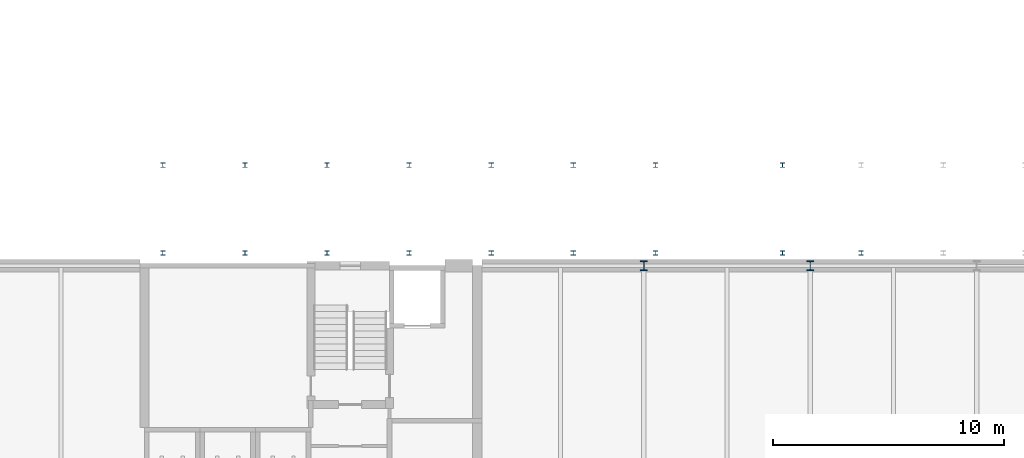
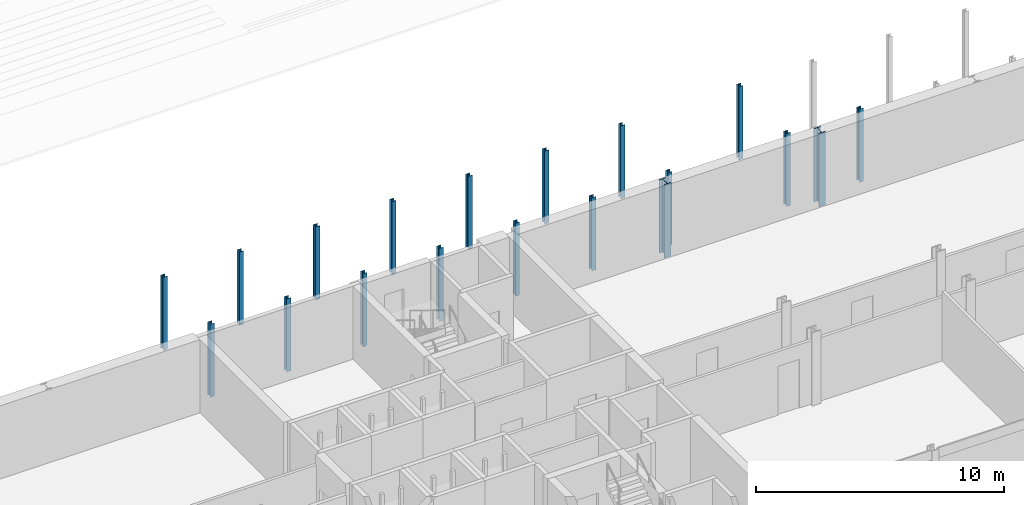
# One storey, part 23 of 90: 19 columns.
"""IFC4 building model written with IfcOpenShell, lengths in metres."""

from ifc_helpers import new_model, si_unit, direction, frame, origin, origin_2d, place, context, subcontext, project, spatial, i_section, extrude, material, material_profile, profile_set, type_object, element, save


model = new_model("IFC4")

# Units and contexts
model_context = context("Model", 3, precision=1e-05, world=origin(), true_north=direction((0.0, 1.0)))
body_context = subcontext(model_context, "Body", "Model", "MODEL_VIEW")
ifc_project = project(units=[si_unit("LENGTHUNIT", "METRE"), si_unit("AREAUNIT", "SQUARE_METRE"), si_unit("VOLUMEUNIT", "CUBIC_METRE"), si_unit("PLANEANGLEUNIT", "RADIAN"), si_unit("MASSUNIT", "GRAM", prefix="KILO")], contexts=[model_context])

# Site, building, storey
site_placement = place(None, origin())
site = spatial("IfcSite", under=ifc_project, at=site_placement, CompositionType="ELEMENT")
building_placement = place(site_placement, origin())
building = spatial("IfcBuilding", under=site, at=building_placement, Name="Kupolbacken Congress Centre", CompositionType="ELEMENT")
storey_placement = place(building_placement, frame((0.0, 0.0, 3.60009765625)))
storey = spatial("IfcBuildingStorey", under=building, at=storey_placement, Name="L01", CompositionType="ELEMENT", Elevation=3.60009765625)

# Columns
ifc_material_1 = material(Name="Steel S355", Category="steel")
ifc_material_profile_1 = material_profile(ifc_material_1, i_section(OverallWidth=0.306884765625, OverallDepth=0.431884765625, WebThickness=0.02099609375, FlangeThickness=0.0400390625, FilletRadius=0.027099609375, at=origin_2d()), Name="HEM 400")
ifc_profile_set_1 = profile_set([ifc_material_profile_1], Name="Steel S355")
column_type_1 = type_object("IfcColumnType", Name="C02 column HEM 400", PredefinedType="COLUMN", material=ifc_profile_set_1)
for number, where, z_axis, x_axis, name in (
    (1, (115.199951171875, 144.0, 0.0), (0.0, 0.0, 1.0), (1.0, 0.0, 0.0), "S/col/C-T-17W/L01"),
    (2, (122.39990234375, 144.0, 0.0), (0.0, 0.0, 1.0), (1.0, 0.0, 0.0), "S/col/C-T-18W/L01"),
):
    element("IfcColumn", number, at=place(storey_placement, frame(where, z_axis=z_axis, x_axis=x_axis)), inside=storey, type_object=column_type_1, Name=name, PredefinedType="COLUMN", context=body_context, shape_type="SweptSolid", body=[
        extrude(i_section(OverallWidth=0.306884765625, OverallDepth=0.431884765625, WebThickness=0.02099609375, FlangeThickness=0.0400390625, FilletRadius=0.027099609375, at=origin_2d()), origin(), (0.0, 0.0, 1.0), 3.599853515625),
    ])
ifc_material_2 = material(Name="Steel S355", Category="steel")
ifc_material_profile_2 = material_profile(ifc_material_2, i_section(OverallWidth=0.199951171875, OverallDepth=0.199951171875, WebThickness=0.009033203125, FlangeThickness=0.014892578125, FilletRadius=0.01806640625, at=origin_2d()), Name="HEB 200")
ifc_profile_set_2 = profile_set([ifc_material_profile_2], Name="Steel S355")
column_type_2 = type_object("IfcColumnType", Name="C11 column HEB 200", PredefinedType="COLUMN", material=ifc_profile_set_2)
for number, where, z_axis, x_axis, name in (
    (3, (94.39990234375, 144.550048828125, 0.0), (0.0, 0.0, 1.0), (1.0, 0.0, 0.0), "Covered passage column"),
    (4, (94.39990234375, 148.35009765625, 0.0), (0.0, 0.0, 1.0), (1.0, 0.0, 0.0), "Covered passage column"),
    (5, (97.949951171875, 144.550048828125, 0.0), (0.0, 0.0, 1.0), (1.0, 0.0, 0.0), "Covered passage column"),
    (6, (97.949951171875, 148.35009765625, 0.0), (0.0, 0.0, 1.0), (1.0, 0.0, 0.0), "Covered passage column"),
    (7, (101.5, 144.550048828125, 0.0), (0.0, 0.0, 1.0), (1.0, 0.0, 0.0), "Covered passage column"),
    (8, (101.5, 148.35009765625, 0.0), (0.0, 0.0, 1.0), (1.0, 0.0, 0.0), "Covered passage column"),
    (9, (105.050048828125, 144.550048828125, 0.0), (0.0, 0.0, 1.0), (1.0, 0.0, 0.0), "Covered passage column"),
    (10, (105.050048828125, 148.35009765625, 0.0), (0.0, 0.0, 1.0), (1.0, 0.0, 0.0), "Covered passage column"),
    (11, (108.60009765625, 144.550048828125, 0.0), (0.0, 0.0, 1.0), (1.0, 0.0, 0.0), "Covered passage column"),
    (12, (108.60009765625, 148.35009765625, 0.0), (0.0, 0.0, 1.0), (1.0, 0.0, 0.0), "Covered passage column"),
    (13, (112.14990234375, 144.550048828125, 0.0), (0.0, 0.0, 1.0), (1.0, 0.0, 0.0), "Covered passage column"),
    (14, (112.14990234375, 148.35009765625, 0.0), (0.0, 0.0, 1.0), (1.0, 0.0, 0.0), "Covered passage column"),
    (15, (115.699951171875, 144.550048828125, 0.0), (0.0, 0.0, 1.0), (1.0, 0.0, 0.0), "Covered passage column"),
    (16, (115.699951171875, 148.35009765625, 0.0), (0.0, 0.0, 1.0), (1.0, 0.0, 0.0), "Covered passage column"),
    (17, (121.199951171875, 144.550048828125, 0.0), (0.0, 0.0, 1.0), (1.0, 0.0, 0.0), "Covered passage column"),
    (18, (121.199951171875, 148.35009765625, 0.0), (0.0, 0.0, 1.0), (1.0, 0.0, 0.0), "Covered passage column"),
    (19, (124.60009765625, 144.550048828125, 0.0), (0.0, 0.0, 1.0), (1.0, 0.0, 0.0), "Covered passage column"),
):
    element("IfcColumn", number, at=place(storey_placement, frame(where, z_axis=z_axis, x_axis=x_axis)), inside=storey, type_object=column_type_2, Name=name, PredefinedType="COLUMN", context=body_context, shape_type="SweptSolid", body=[
        extrude(i_section(OverallWidth=0.199951171875, OverallDepth=0.199951171875, WebThickness=0.009033203125, FlangeThickness=0.014892578125, FilletRadius=0.01806640625, at=origin_2d()), origin(), (0.0, 0.0, 1.0), 3.599853515625),
    ])

save(model, "model.ifc")
